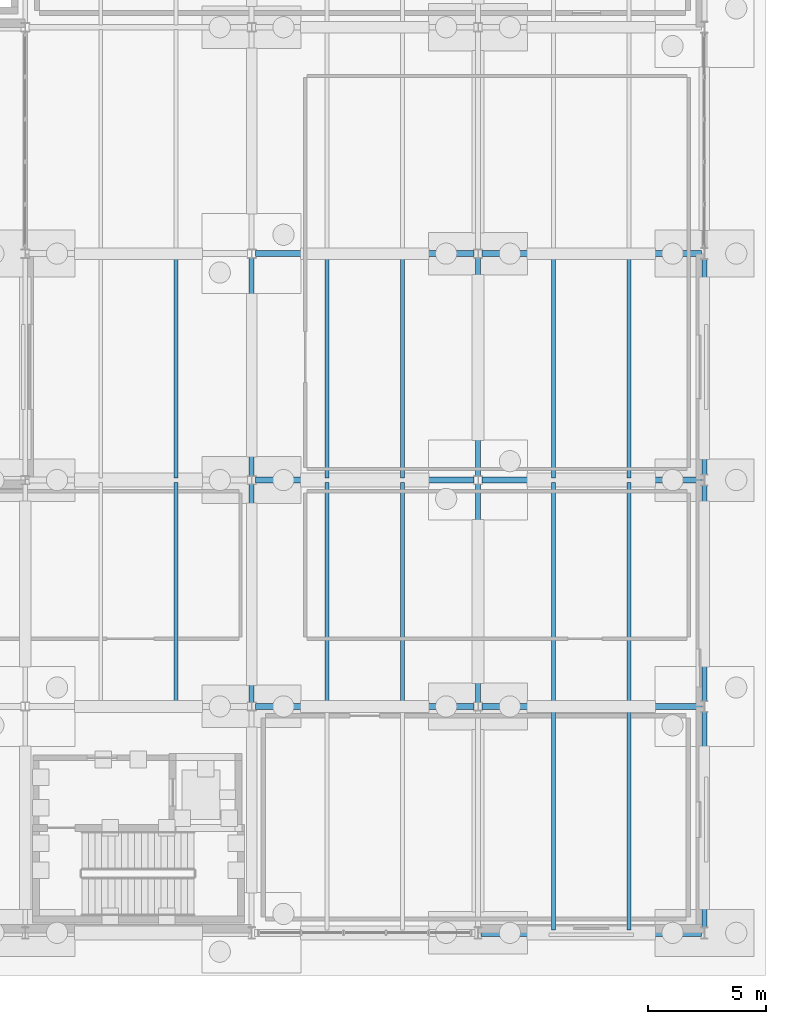
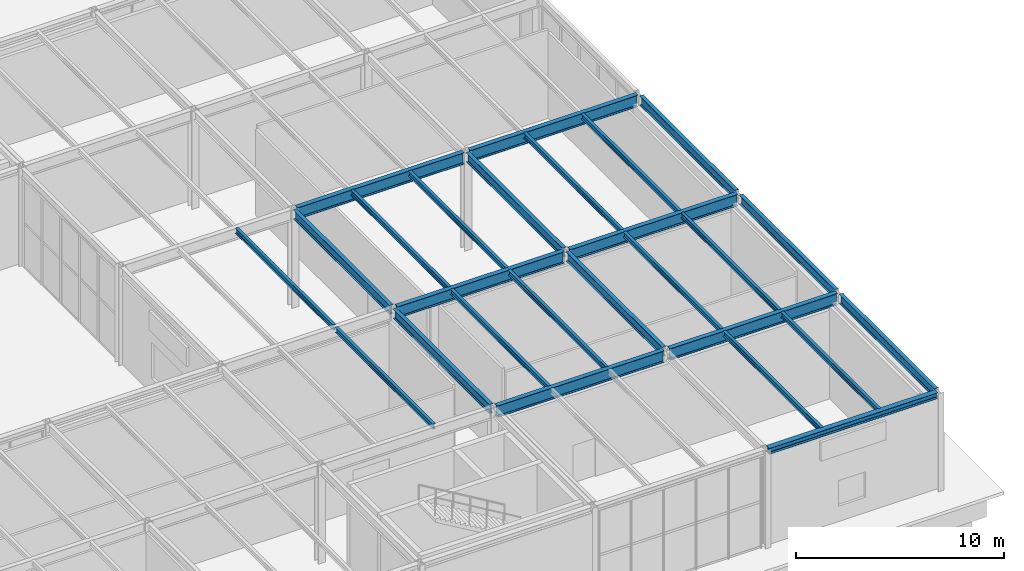
# One storey, part 85 of 142: 26 beams.
"""IFC4 building model written with IfcOpenShell, lengths in metres."""

from ifc_helpers import new_model, si_unit, direction, frame, origin, origin_2d, place, context, subcontext, project, spatial, i_section, extrude, material, material_profile, profile_set, type_object, element, save


model = new_model("IFC4")

# Units and contexts
model_context = context("Model", 3, precision=1e-05, world=origin(), true_north=direction((0.0, 1.0)))
body_context = subcontext(model_context, "Body", "Model", "MODEL_VIEW")
ifc_project = project(units=[si_unit("LENGTHUNIT", "METRE"), si_unit("AREAUNIT", "SQUARE_METRE"), si_unit("VOLUMEUNIT", "CUBIC_METRE"), si_unit("PLANEANGLEUNIT", "RADIAN"), si_unit("MASSUNIT", "GRAM", prefix="KILO")], contexts=[model_context])

# Site, building, storey
site_placement = place(None, origin())
site = spatial("IfcSite", under=ifc_project, at=site_placement, CompositionType="ELEMENT")
building_placement = place(site_placement, origin())
building = spatial("IfcBuilding", under=site, at=building_placement, Name="Coralgate Yard Interchange", CompositionType="ELEMENT")
storey_placement = place(building_placement, origin())
storey = spatial("IfcBuildingStorey", under=building, at=storey_placement, Name="L00", CompositionType="ELEMENT", Elevation=0.0)

# Beams
ifc_material = material(Name="Structural steel S355J2", Category="steel")
ifc_material_profile_1 = material_profile(ifc_material, i_section(OverallWidth=0.209228515625, OverallDepth=0.533203125, WebThickness=0.010009765625, FlangeThickness=0.015625, FilletRadius=0.0126953125, at=origin_2d()), Name="UB 533x210x92")
ifc_profile_set_1 = profile_set([ifc_material_profile_1], Name="Structural steel S355J2")
beam_type_1 = type_object("IfcBeamType", Name="BM-SB-1", PredefinedType="BEAM", material=ifc_profile_set_1)
beam_1_placement = place(storey_placement, frame((163.199951171875, 9.766845703125, 5.4833984375), z_axis=(0.0, 1.0, 0.0), x_axis=(-1.0, 0.0, 0.0)))
element("IfcBeam", 1, at=beam_1_placement, inside=storey, type_object=beam_type_1, Name="L00 primary grid girder X17 Y1-2", PredefinedType="BEAM", context=body_context, shape_type="SweptSolid", body=[
    extrude(i_section(OverallWidth=0.209228515625, OverallDepth=0.533203125, WebThickness=0.010009765625, FlangeThickness=0.015625, FilletRadius=0.0126953125, at=origin_2d()), origin(), (0.0, 0.0, 1.0), 9.266357421875),
])
beam_2_placement = place(storey_placement, frame((163.199951171875, 19.36669921875, 5.4833984375), z_axis=(0.0, 1.0, 0.0), x_axis=(-1.0, 0.0, 0.0)))
element("IfcBeam", 2, at=beam_2_placement, inside=storey, type_object=beam_type_1, Name="L00 primary grid girder X17 Y2-3", PredefinedType="BEAM", context=body_context, shape_type="SweptSolid", body=[
    extrude(i_section(OverallWidth=0.209228515625, OverallDepth=0.533203125, WebThickness=0.010009765625, FlangeThickness=0.015625, FilletRadius=0.0126953125, at=origin_2d()), origin(), (0.0, 0.0, 1.0), 9.2666015625),
])
beam_3_placement = place(storey_placement, frame((172.800048828125, 9.766845703125, 5.4833984375), z_axis=(0.0, 1.0, 0.0), x_axis=(-1.0, 0.0, 0.0)))
element("IfcBeam", 3, at=beam_3_placement, inside=storey, type_object=beam_type_1, Name="L00 primary grid girder X18 Y1-2", PredefinedType="BEAM", context=body_context, shape_type="SweptSolid", body=[
    extrude(i_section(OverallWidth=0.209228515625, OverallDepth=0.533203125, WebThickness=0.010009765625, FlangeThickness=0.015625, FilletRadius=0.0126953125, at=origin_2d()), origin(), (0.0, 0.0, 1.0), 9.266357421875),
])
beam_4_placement = place(storey_placement, frame((172.800048828125, 19.36669921875, 5.4833984375), z_axis=(0.0, 1.0, 0.0), x_axis=(-1.0, 0.0, 0.0)))
element("IfcBeam", 4, at=beam_4_placement, inside=storey, type_object=beam_type_1, Name="L00 primary grid girder X18 Y2-3", PredefinedType="BEAM", context=body_context, shape_type="SweptSolid", body=[
    extrude(i_section(OverallWidth=0.209228515625, OverallDepth=0.533203125, WebThickness=0.010009765625, FlangeThickness=0.015625, FilletRadius=0.0126953125, at=origin_2d()), origin(), (0.0, 0.0, 1.0), 9.2666015625),
])
for number, where, z_axis, x_axis, name in (
    (5, (182.39990234375, 0.219970703125, 5.4833984375), (0.0, 1.0, 0.0), (-1.0, 0.0, 0.0), "L00 primary grid girder X19 Y0-1"),
    (6, (182.39990234375, 9.820068359375, 5.4833984375), (0.0, 1.0, 0.0), (-1.0, 0.0, 0.0), "L00 primary grid girder X19 Y1-2"),
):
    element("IfcBeam", number, at=place(storey_placement, frame(where, z_axis=z_axis, x_axis=x_axis)), inside=storey, type_object=beam_type_1, Name=name, PredefinedType="BEAM", context=body_context, shape_type="SweptSolid", body=[
        extrude(i_section(OverallWidth=0.209228515625, OverallDepth=0.533203125, WebThickness=0.010009765625, FlangeThickness=0.015625, FilletRadius=0.0126953125, at=origin_2d()), origin(), (0.0, 0.0, 1.0), 9.159912109375),
    ])
beam_5_placement = place(storey_placement, frame((182.39990234375, 19.419921875, 5.4833984375), z_axis=(0.0, 1.0, 0.0), x_axis=(-1.0, 0.0, 0.0)))
element("IfcBeam", 7, at=beam_5_placement, inside=storey, type_object=beam_type_1, Name="L00 primary grid girder X19 Y2-3", PredefinedType="BEAM", context=body_context, shape_type="SweptSolid", body=[
    extrude(i_section(OverallWidth=0.209228515625, OverallDepth=0.533203125, WebThickness=0.010009765625, FlangeThickness=0.015625, FilletRadius=0.0126953125, at=origin_2d()), origin(), (0.0, 0.0, 1.0), 9.16015625),
])
ifc_material_profile_2 = material_profile(ifc_material, i_section(OverallWidth=0.253662109375, OverallDepth=0.68359375, WebThickness=0.012451171875, FlangeThickness=0.01904296875, FilletRadius=0.01513671875, at=origin_2d()), Name="UB 686x254x140")
ifc_profile_set_2 = profile_set([ifc_material_profile_2], Name="Structural steel S355J2")
beam_type_2 = type_object("IfcBeamType", Name="BM-SG-4", PredefinedType="BEAM", material=ifc_profile_set_2)
beam_6_placement = place(storey_placement, frame((163.369384765625, 9.60009765625, 5.408203125), z_axis=(1.0, 0.0, 0.0), x_axis=(0.0, 1.0, 0.0)))
element("IfcBeam", 8, at=beam_6_placement, inside=storey, type_object=beam_type_2, Name="L00 primary grid beam Y1 X17-18", PredefinedType="BEAM", context=body_context, shape_type="SweptSolid", body=[
    extrude(i_section(OverallWidth=0.253662109375, OverallDepth=0.68359375, WebThickness=0.012451171875, FlangeThickness=0.01904296875, FilletRadius=0.01513671875, at=origin_2d()), origin(), (0.0, 0.0, 1.0), 9.26123046875),
])
beam_7_placement = place(storey_placement, frame((172.969482421875, 9.60009765625, 5.408203125), z_axis=(1.0, 0.0, 0.0), x_axis=(0.0, 1.0, 0.0)))
element("IfcBeam", 9, at=beam_7_placement, inside=storey, type_object=beam_type_2, Name="L00 primary grid beam Y1 X18-19", PredefinedType="BEAM", context=body_context, shape_type="SweptSolid", body=[
    extrude(i_section(OverallWidth=0.253662109375, OverallDepth=0.68359375, WebThickness=0.012451171875, FlangeThickness=0.01904296875, FilletRadius=0.01513671875, at=origin_2d()), origin(), (0.0, 0.0, 1.0), 9.310546875),
])
beam_8_placement = place(storey_placement, frame((163.369384765625, 19.199951171875, 5.408203125), z_axis=(1.0, 0.0, 0.0), x_axis=(0.0, 1.0, 0.0)))
element("IfcBeam", 10, at=beam_8_placement, inside=storey, type_object=beam_type_2, Name="L00 primary grid beam Y2 X17-18", PredefinedType="BEAM", context=body_context, shape_type="SweptSolid", body=[
    extrude(i_section(OverallWidth=0.253662109375, OverallDepth=0.68359375, WebThickness=0.012451171875, FlangeThickness=0.01904296875, FilletRadius=0.01513671875, at=origin_2d()), origin(), (0.0, 0.0, 1.0), 9.26123046875),
])
beam_9_placement = place(storey_placement, frame((172.969482421875, 19.199951171875, 5.408203125), z_axis=(1.0, 0.0, 0.0), x_axis=(0.0, 1.0, 0.0)))
element("IfcBeam", 11, at=beam_9_placement, inside=storey, type_object=beam_type_2, Name="L00 primary grid beam Y2 X18-19", PredefinedType="BEAM", context=body_context, shape_type="SweptSolid", body=[
    extrude(i_section(OverallWidth=0.253662109375, OverallDepth=0.68359375, WebThickness=0.012451171875, FlangeThickness=0.01904296875, FilletRadius=0.01513671875, at=origin_2d()), origin(), (0.0, 0.0, 1.0), 9.310546875),
])
beam_10_placement = place(storey_placement, frame((163.369384765625, 28.800048828125, 5.408203125), z_axis=(1.0, 0.0, 0.0), x_axis=(0.0, 1.0, 0.0)))
element("IfcBeam", 12, at=beam_10_placement, inside=storey, type_object=beam_type_2, Name="L00 primary grid beam Y3 X17-18", PredefinedType="BEAM", context=body_context, shape_type="SweptSolid", body=[
    extrude(i_section(OverallWidth=0.253662109375, OverallDepth=0.68359375, WebThickness=0.012451171875, FlangeThickness=0.01904296875, FilletRadius=0.01513671875, at=origin_2d()), origin(), (0.0, 0.0, 1.0), 9.26123046875),
])
beam_11_placement = place(storey_placement, frame((172.969482421875, 28.800048828125, 5.408203125), z_axis=(1.0, 0.0, 0.0), x_axis=(0.0, 1.0, 0.0)))
element("IfcBeam", 13, at=beam_11_placement, inside=storey, type_object=beam_type_2, Name="L00 primary grid beam Y3 X18-19", PredefinedType="BEAM", context=body_context, shape_type="SweptSolid", body=[
    extrude(i_section(OverallWidth=0.253662109375, OverallDepth=0.68359375, WebThickness=0.012451171875, FlangeThickness=0.01904296875, FilletRadius=0.01513671875, at=origin_2d()), origin(), (0.0, 0.0, 1.0), 9.310546875),
])
ifc_material_profile_3 = material_profile(ifc_material, i_section(OverallWidth=0.1650390625, OverallDepth=0.303466796875, WebThickness=0.006103515625, FlangeThickness=0.01025390625, FilletRadius=0.0087890625, at=origin_2d()), Name="UB 305x165x40")
ifc_profile_set_3 = profile_set([ifc_material_profile_3], Name="Structural steel S355J2")
beam_type_3 = type_object("IfcBeamType", Name="BM-SJ-1", PredefinedType="JOIST", material=ifc_profile_set_3)
for number, where, z_axis, x_axis, name in (
    (14, (160.0, 9.69677734375, 5.598388671875), (0.0, 1.0, 0.0), (-1.0, 0.0, 0.0), "L00 composite floor joist 16-1-2"),
    (15, (160.0, 19.296875, 5.598388671875), (0.0, 1.0, 0.0), (-1.0, 0.0, 0.0), "L00 composite floor joist 16-2-2"),
    (16, (166.39990234375, 9.69677734375, 5.598388671875), (0.0, 1.0, 0.0), (-1.0, 0.0, 0.0), "L00 composite floor joist 17-1-1"),
    (17, (169.60009765625, 9.69677734375, 5.598388671875), (0.0, 1.0, 0.0), (-1.0, 0.0, 0.0), "L00 composite floor joist 17-1-2"),
    (18, (166.39990234375, 19.296875, 5.598388671875), (0.0, 1.0, 0.0), (-1.0, 0.0, 0.0), "L00 composite floor joist 17-2-1"),
    (19, (169.60009765625, 19.296875, 5.598388671875), (0.0, 1.0, 0.0), (-1.0, 0.0, 0.0), "L00 composite floor joist 17-2-2"),
):
    element("IfcBeam", number, at=place(storey_placement, frame(where, z_axis=z_axis, x_axis=x_axis)), inside=storey, type_object=beam_type_3, Name=name, PredefinedType="JOIST", context=body_context, shape_type="SweptSolid", body=[
        extrude(i_section(OverallWidth=0.1650390625, OverallDepth=0.303466796875, WebThickness=0.006103515625, FlangeThickness=0.01025390625, FilletRadius=0.0087890625, at=origin_2d()), origin(), (0.0, 0.0, 1.0), 9.40625),
    ])
for number, where, z_axis, x_axis, name in (
    (20, (176.0, 0.1201171875, 5.598388671875), (0.0, 1.0, 0.0), (-1.0, 0.0, 0.0), "L00 composite floor joist 18-0-1"),
    (21, (179.199951171875, 0.1201171875, 5.598388671875), (0.0, 1.0, 0.0), (-1.0, 0.0, 0.0), "L00 composite floor joist 18-0-2"),
):
    element("IfcBeam", number, at=place(storey_placement, frame(where, z_axis=z_axis, x_axis=x_axis)), inside=storey, type_object=beam_type_3, Name=name, PredefinedType="JOIST", context=body_context, shape_type="SweptSolid", body=[
        extrude(i_section(OverallWidth=0.1650390625, OverallDepth=0.303466796875, WebThickness=0.006103515625, FlangeThickness=0.01025390625, FilletRadius=0.0087890625, at=origin_2d()), origin(), (0.0, 0.0, 1.0), 9.383056640625),
    ])
for number, where, z_axis, x_axis, name in (
    (22, (176.0, 9.69677734375, 5.598388671875), (0.0, 1.0, 0.0), (-1.0, 0.0, 0.0), "L00 composite floor joist 18-1-1"),
    (23, (179.199951171875, 9.69677734375, 5.598388671875), (0.0, 1.0, 0.0), (-1.0, 0.0, 0.0), "L00 composite floor joist 18-1-2"),
    (24, (176.0, 19.296875, 5.598388671875), (0.0, 1.0, 0.0), (-1.0, 0.0, 0.0), "L00 composite floor joist 18-2-1"),
    (25, (179.199951171875, 19.296875, 5.598388671875), (0.0, 1.0, 0.0), (-1.0, 0.0, 0.0), "L00 composite floor joist 18-2-2"),
):
    element("IfcBeam", number, at=place(storey_placement, frame(where, z_axis=z_axis, x_axis=x_axis)), inside=storey, type_object=beam_type_3, Name=name, PredefinedType="JOIST", context=body_context, shape_type="SweptSolid", body=[
        extrude(i_section(OverallWidth=0.1650390625, OverallDepth=0.303466796875, WebThickness=0.006103515625, FlangeThickness=0.01025390625, FilletRadius=0.0087890625, at=origin_2d()), origin(), (0.0, 0.0, 1.0), 9.40625),
    ])
ifc_material_profile_4 = material_profile(ifc_material, i_section(OverallWidth=0.300048828125, OverallDepth=0.35009765625, WebThickness=0.010009765625, FlangeThickness=0.017578125, FilletRadius=0.027099609375, at=origin_2d()), Name="HEA 360")
ifc_profile_set_4 = profile_set([ifc_material_profile_4], Name="Structural steel S355J2")
beam_type_4 = type_object("IfcBeamType", Name="BM-SP-1", PredefinedType="SPANDREL", material=ifc_profile_set_4)
beam_12_placement = place(storey_placement, frame((172.919921875, 0.0, 5.574951171875), z_axis=(1.0, 0.0, 0.0), x_axis=(0.0, 1.0, 0.0)))
element("IfcBeam", 26, at=beam_12_placement, inside=storey, type_object=beam_type_4, Name="L00 primary grid beam Y0 X18-19", PredefinedType="SPANDREL", context=body_context, shape_type="SweptSolid", body=[
    extrude(i_section(OverallWidth=0.300048828125, OverallDepth=0.35009765625, WebThickness=0.010009765625, FlangeThickness=0.017578125, FilletRadius=0.027099609375, at=origin_2d()), origin(), (0.0, 0.0, 1.0), 9.360107421875),
])

save(model, "model.ifc")
